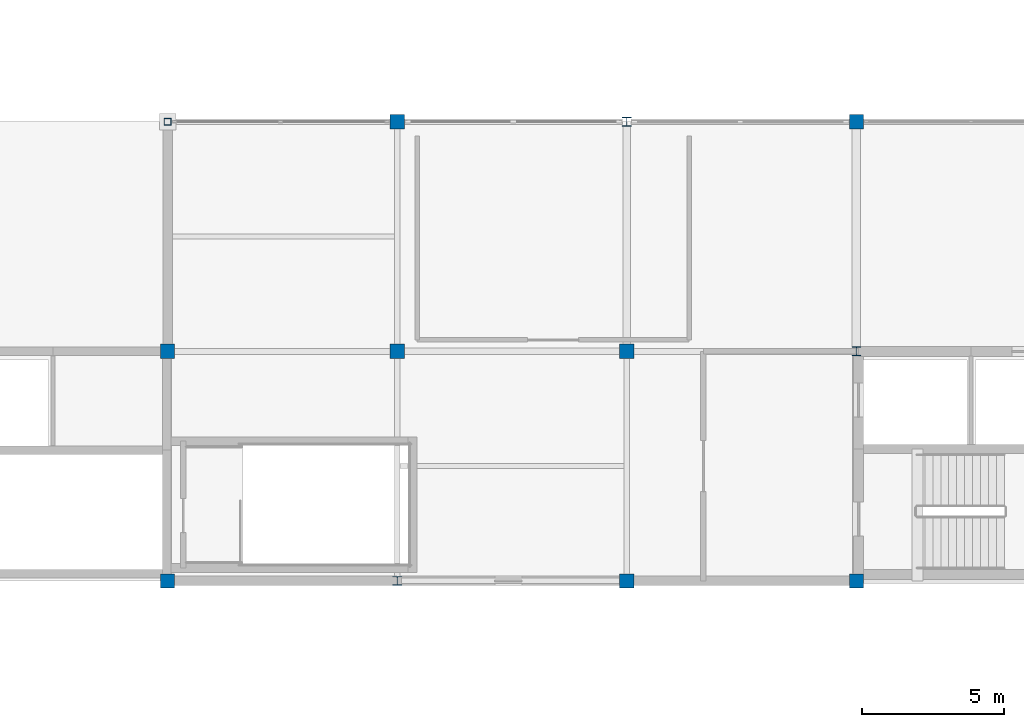
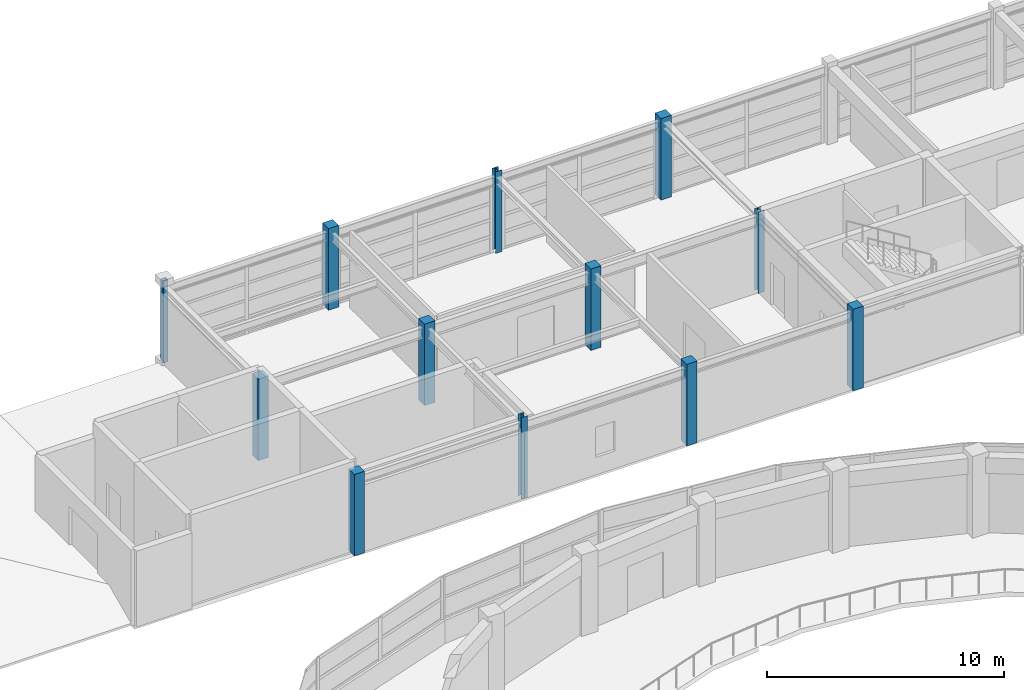
# One storey, part 5 of 54: 12 columns.
"""IFC4 building model written with IfcOpenShell, lengths in metres."""

from ifc_helpers import new_model, si_unit, direction, frame, origin, origin_2d, place, context, subcontext, project, spatial, rectangle, hollow_rectangle, i_section, extrude, material, material_profile, profile_set, type_object, element, save


model = new_model("IFC4")

# Units and contexts
model_context = context("Model", 3, precision=1e-05, world=origin(), true_north=direction((0.0, 1.0)))
body_context = subcontext(model_context, "Body", "Model", "MODEL_VIEW")
ifc_project = project(units=[si_unit("LENGTHUNIT", "METRE"), si_unit("AREAUNIT", "SQUARE_METRE"), si_unit("VOLUMEUNIT", "CUBIC_METRE"), si_unit("PLANEANGLEUNIT", "RADIAN"), si_unit("MASSUNIT", "GRAM", prefix="KILO")], contexts=[model_context])

# Site, building, storey
site_placement = place(None, origin())
site = spatial("IfcSite", under=ifc_project, at=site_placement, CompositionType="ELEMENT")
building_placement = place(site_placement, origin())
building = spatial("IfcBuilding", under=site, at=building_placement, Name="Parian Resonance Hall", CompositionType="ELEMENT")
storey_placement = place(building_placement, frame((0.0, 0.0, 15.0)))
storey = spatial("IfcBuildingStorey", under=building, at=storey_placement, Name="L03", CompositionType="ELEMENT", Elevation=15.0)

# Columns
ifc_material_1 = material(Name="Concrete C40/50", Category="concrete")
ifc_material_profile_1 = material_profile(ifc_material_1, rectangle(XDim=0.5, YDim=0.5, at=origin_2d()), Name="RC-COL-500x500")
ifc_profile_set_1 = profile_set([ifc_material_profile_1], Name="Concrete C40/50")
column_type_1 = type_object("IfcColumnType", Name="COL-RC500", PredefinedType="COLUMN", material=ifc_profile_set_1)
for number, where, z_axis, x_axis, name in (
    (1, (32.39990234375, 72.89990234375, 0.0), (0.0, 0.0, 1.0), (1.0, 0.0, 0.0), "Column G05-10 L03"),
    (2, (32.39990234375, 81.0, 0.0), (0.0, 0.0, 1.0), (1.0, 0.0, 0.0), "Column G05-11 L03"),
    (3, (40.5, 81.0, 0.0), (0.0, 0.0, 1.0), (1.0, 0.0, 0.0), "Column G06-11 L03"),
    (4, (40.5, 89.10009765625, 0.0), (0.0, 0.0, 1.0), (1.0, 0.0, 0.0), "Column G06-12 L03"),
    (5, (48.60009765625, 72.89990234375, 0.0), (0.0, 0.0, 1.0), (1.0, 0.0, 0.0), "Column G07-10 L03"),
    (6, (48.60009765625, 81.0, 0.0), (0.0, 0.0, 1.0), (1.0, 0.0, 0.0), "Column G07-11 L03"),
    (7, (56.699951171875, 72.89990234375, 0.0), (0.0, 0.0, 1.0), (1.0, 0.0, 0.0), "Column G08-10 L03"),
    (8, (56.699951171875, 89.10009765625, 0.0), (0.0, 0.0, 1.0), (1.0, 0.0, 0.0), "Column G08-12 L03"),
):
    element("IfcColumn", number, at=place(storey_placement, frame(where, z_axis=z_axis, x_axis=x_axis)), inside=storey, type_object=column_type_1, Name=name, PredefinedType="COLUMN", context=body_context, shape_type="SweptSolid", body=[
        extrude(rectangle(XDim=0.5, YDim=0.5, at=origin_2d()), origin(), (0.0, 0.0, 1.0), 4.199951171875),
    ])
ifc_material_2 = material(Name="Hollow structural steel S355", Category="steel")
ifc_material_profile_2 = material_profile(ifc_material_2, hollow_rectangle(XDim=0.25, YDim=0.25, WallThickness=0.012451171875, InnerFilletRadius=0.012451171875, OuterFilletRadius=0.02490234375, at=origin_2d()), Name="SHS250x250x12.5")
ifc_profile_set_2 = profile_set([ifc_material_profile_2], Name="Hollow structural steel S355")
column_type_2 = type_object("IfcColumnType", Name="COL-SHS250", PredefinedType="COLUMN", material=ifc_profile_set_2)
column_placement = place(storey_placement, frame((32.39990234375, 89.10009765625, 0.0), z_axis=(0.0, 0.0, 1.0), x_axis=(1.0, 0.0, 0.0)))
element("IfcColumn", 9, at=column_placement, inside=storey, type_object=column_type_2, Name="Column G05-12 L03", PredefinedType="COLUMN", context=body_context, shape_type="SweptSolid", body=[
    extrude(hollow_rectangle(XDim=0.25, YDim=0.25, WallThickness=0.012451171875, InnerFilletRadius=0.012451171875, OuterFilletRadius=0.02490234375, at=origin_2d()), origin(), (0.0, 0.0, 1.0), 4.199951171875),
])
ifc_material_3 = material(Name="Steel S355", Category="steel")
ifc_material_profile_3 = material_profile(ifc_material_3, i_section(OverallWidth=0.304931640625, OverallDepth=0.30810546875, WebThickness=0.010009765625, FlangeThickness=0.015380859375, FilletRadius=0.01513671875, at=origin_2d()), Name="W310x97")
ifc_profile_set_3 = profile_set([ifc_material_profile_3], Name="Steel S355")
column_type_3 = type_object("IfcColumnType", Name="COL-W310", PredefinedType="COLUMN", material=ifc_profile_set_3)
for number, where, z_axis, x_axis, name in (
    (10, (40.5, 72.89990234375, 0.0), (0.0, 0.0, 1.0), (1.0, 0.0, 0.0), "Column G06-10 L03"),
    (11, (48.60009765625, 89.10009765625, 0.0), (0.0, 0.0, 1.0), (1.0, 0.0, 0.0), "Column G07-12 L03"),
    (12, (56.699951171875, 81.0, 0.0), (0.0, 0.0, 1.0), (1.0, 0.0, 0.0), "Column G08-11 L03"),
):
    element("IfcColumn", number, at=place(storey_placement, frame(where, z_axis=z_axis, x_axis=x_axis)), inside=storey, type_object=column_type_3, Name=name, PredefinedType="COLUMN", context=body_context, shape_type="SweptSolid", body=[
        extrude(i_section(OverallWidth=0.304931640625, OverallDepth=0.30810546875, WebThickness=0.010009765625, FlangeThickness=0.015380859375, FilletRadius=0.01513671875, at=origin_2d()), origin(), (0.0, 0.0, 1.0), 4.199951171875),
    ])

save(model, "model.ifc")
